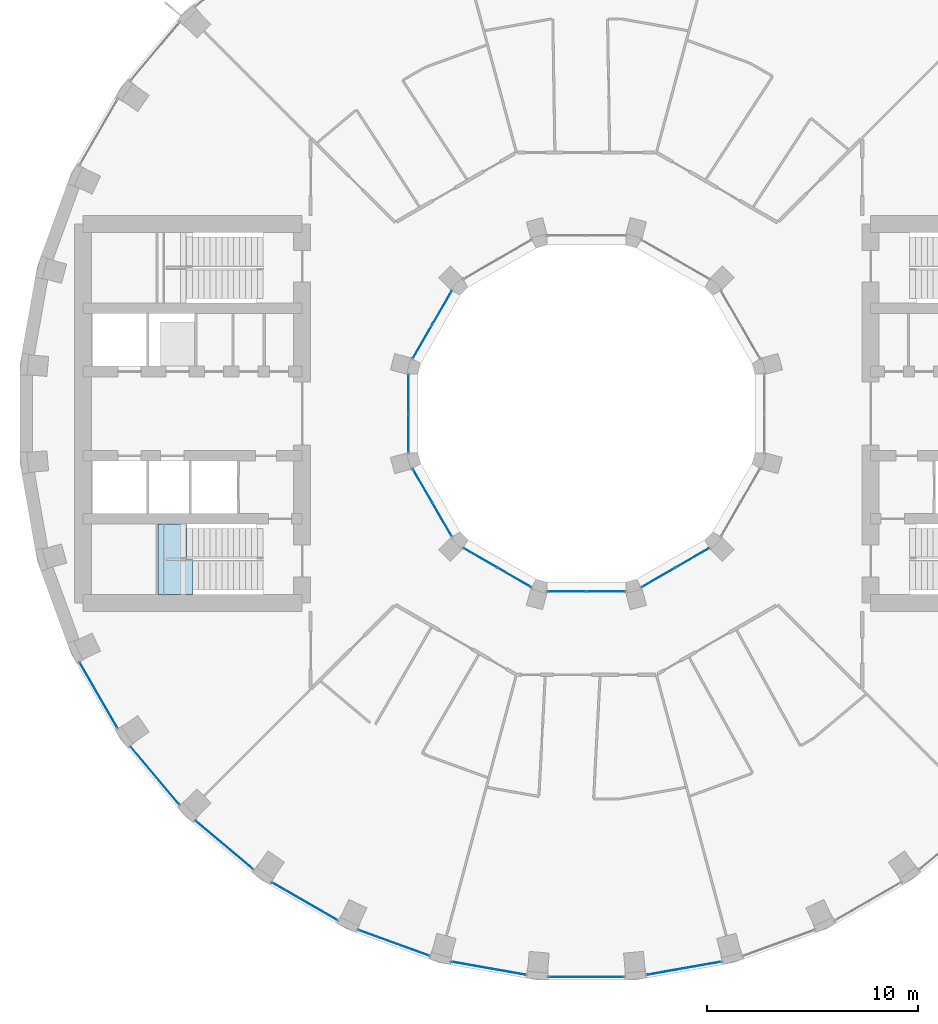
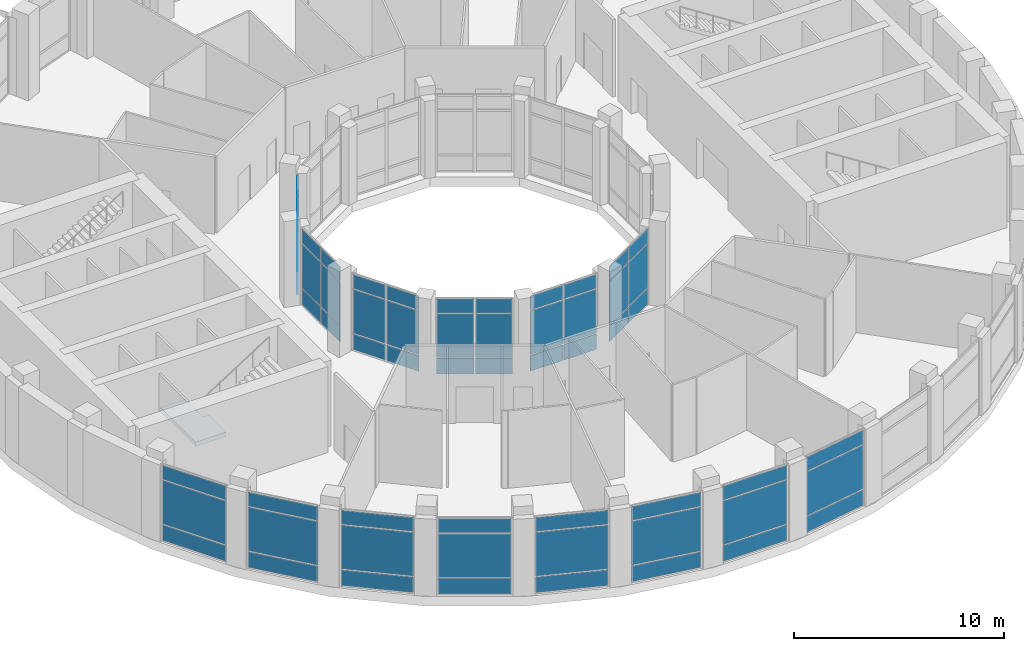
# One storey, part 9 of 18: 60 plates, 1 slab, 15 elements without a shape of their own.
"""IFC4 building model written with IfcOpenShell, lengths in metres."""

from ifc_helpers import new_model, si_unit, direction, frame, origin, origin_2d, place, context, subcontext, project, spatial, polyline, rectangle, outline, extrude, material, layer, layer_set, type_object, element, aggregate, save


model = new_model("IFC4")

# Units and contexts
model_context = context("Model", 3, precision=1e-05, world=origin(), true_north=direction((0.0, 1.0)))
body_context = subcontext(model_context, "Body", "Model", "MODEL_VIEW")
ifc_project = project(units=[si_unit("LENGTHUNIT", "METRE"), si_unit("AREAUNIT", "SQUARE_METRE"), si_unit("VOLUMEUNIT", "CUBIC_METRE"), si_unit("PLANEANGLEUNIT", "RADIAN"), si_unit("MASSUNIT", "GRAM", prefix="KILO")], contexts=[model_context])

# Site, building, storey
site_placement = place(None, origin())
site = spatial("IfcSite", under=ifc_project, at=site_placement, CompositionType="ELEMENT")
building_placement = place(site_placement, origin())
building = spatial("IfcBuilding", under=site, at=building_placement, Name="Saqina Gate Tower", CompositionType="ELEMENT")
storey_placement = place(building_placement, frame((0.0, 0.0, 86.89990234375)))
storey = spatial("IfcBuildingStorey", under=building, at=storey_placement, Name="L24", CompositionType="ELEMENT", Elevation=86.89990234375)

# Curtain wall, plates
ifc_material_1 = material(Name="Aluminium glazing", Category="aluminium")
ifc_layer_1 = layer(ifc_material_1, 0.159912109375)
ifc_layer_set_1 = layer_set([ifc_layer_1], Name="CWT-2")
curtain_wall_type_1 = type_object("IfcCurtainWallType", Name="CWT-2", PredefinedType="NOTDEFINED", material=ifc_layer_set_1)
curtain_wall_1_placement = place(storey_placement, origin())
curtain_wall_1 = element("IfcCurtainWall", 1, at=curtain_wall_1_placement, inside=storey, type_object=curtain_wall_type_1, Name="Sky lounge glazing facet 21", PredefinedType="NOTDEFINED")
ifc_material_2 = material(Name="Glass", Category="glass")
ifc_layer_2 = layer(ifc_material_2, 0.028076171875)
ifc_layer_set_2 = layer_set([ifc_layer_2], Name="CWT-2P")
plate_type_1 = type_object("IfcPlateType", Name="CWT-2P", PredefinedType="CURTAIN_PANEL", material=ifc_layer_set_2)
plate_1_placement = place(storey_placement, frame((-23.163818359375, -13.37353515625, 0.06005859375), z_axis=(0.0, 0.0, 1.0), x_axis=(0.499998512381, -0.86602626266, 0.0)))
plate_1 = element("IfcPlate", 2, at=plate_1_placement, type_object=plate_type_1, Name="CW2-21 panel 1.1", PredefinedType="CURTAIN_PANEL", context=body_context, shape_type="SweptSolid", body=[
    extrude(rectangle(XDim=3.52783203125, YDim=0.028076171875, at=origin_2d()), origin(), (0.0, 0.0, 1.0), 0.909912109375),
])
plate_2_placement = place(storey_placement, frame((-23.163818359375, -13.37353515625, 1.030029296875), z_axis=(0.0, 0.0, 1.0), x_axis=(0.499998512381, -0.86602626266, 0.0)))
plate_2 = element("IfcPlate", 3, at=plate_2_placement, type_object=plate_type_1, Name="CW2-21 panel 1.2", PredefinedType="CURTAIN_PANEL", context=body_context, shape_type="SweptSolid", body=[
    extrude(rectangle(XDim=3.52783203125, YDim=0.028076171875, at=origin_2d()), origin(), (0.0, 0.0, 1.0), 2.5400390625),
])
plate_3_placement = place(storey_placement, frame((-23.163818359375, -13.37353515625, 3.630126953125), z_axis=(0.0, 0.0, 1.0), x_axis=(0.499998512381, -0.86602626266, 0.0)))
plate_3 = element("IfcPlate", 4, at=plate_3_placement, type_object=plate_type_1, Name="CW2-21 panel 1.3", PredefinedType="CURTAIN_PANEL", context=body_context, shape_type="SweptSolid", body=[
    extrude(rectangle(XDim=3.52783203125, YDim=0.028076171875, at=origin_2d()), origin(), (0.0, 0.0, 1.0), 0.81005859375),
])
aggregate(curtain_wall_1, [plate_1, plate_2, plate_3])

curtain_wall_2_placement = place(storey_placement, origin())
curtain_wall_2 = element("IfcCurtainWall", 5, at=curtain_wall_2_placement, inside=storey, type_object=curtain_wall_type_1, Name="Sky lounge glazing facet 22", PredefinedType="NOTDEFINED")
plate_4_placement = place(storey_placement, frame((-20.489501953125, -17.19287109375, 0.06005859375), z_axis=(0.0, 0.0, 1.0), x_axis=(0.642790825553, -0.766041744675, 0.0)))
plate_4 = element("IfcPlate", 6, at=plate_4_placement, type_object=plate_type_1, Name="CW2-22 panel 1.1", PredefinedType="CURTAIN_PANEL", context=body_context, shape_type="SweptSolid", body=[
    extrude(rectangle(XDim=3.52783203125, YDim=0.028076171875, at=origin_2d()), origin(), (0.0, 0.0, 1.0), 0.909912109375),
])
plate_5_placement = place(storey_placement, frame((-20.489501953125, -17.19287109375, 1.030029296875), z_axis=(0.0, 0.0, 1.0), x_axis=(0.642790825553, -0.766041744675, 0.0)))
plate_5 = element("IfcPlate", 7, at=plate_5_placement, type_object=plate_type_1, Name="CW2-22 panel 1.2", PredefinedType="CURTAIN_PANEL", context=body_context, shape_type="SweptSolid", body=[
    extrude(rectangle(XDim=3.52783203125, YDim=0.028076171875, at=origin_2d()), origin(), (0.0, 0.0, 1.0), 2.5400390625),
])
plate_6_placement = place(storey_placement, frame((-20.489501953125, -17.19287109375, 3.630126953125), z_axis=(0.0, 0.0, 1.0), x_axis=(0.642790825553, -0.766041744675, 0.0)))
plate_6 = element("IfcPlate", 8, at=plate_6_placement, type_object=plate_type_1, Name="CW2-22 panel 1.3", PredefinedType="CURTAIN_PANEL", context=body_context, shape_type="SweptSolid", body=[
    extrude(rectangle(XDim=3.52783203125, YDim=0.028076171875, at=origin_2d()), origin(), (0.0, 0.0, 1.0), 0.81005859375),
])
aggregate(curtain_wall_2, [plate_4, plate_5, plate_6])

curtain_wall_3_placement = place(storey_placement, origin())
curtain_wall_3 = element("IfcCurtainWall", 9, at=curtain_wall_3_placement, inside=storey, type_object=curtain_wall_type_1, Name="Sky lounge glazing facet 23", PredefinedType="NOTDEFINED")
plate_7_placement = place(storey_placement, frame((-17.19287109375, -20.489501953125, 0.06005859375), z_axis=(0.0, 0.0, 1.0), x_axis=(0.766041744675, -0.642790825553, 0.0)))
plate_7 = element("IfcPlate", 10, at=plate_7_placement, type_object=plate_type_1, Name="CW2-23 panel 1.1", PredefinedType="CURTAIN_PANEL", context=body_context, shape_type="SweptSolid", body=[
    extrude(rectangle(XDim=3.52783203125, YDim=0.028076171875, at=origin_2d()), origin(), (0.0, 0.0, 1.0), 0.909912109375),
])
plate_8_placement = place(storey_placement, frame((-17.19287109375, -20.489501953125, 1.030029296875), z_axis=(0.0, 0.0, 1.0), x_axis=(0.766041744675, -0.642790825553, 0.0)))
plate_8 = element("IfcPlate", 11, at=plate_8_placement, type_object=plate_type_1, Name="CW2-23 panel 1.2", PredefinedType="CURTAIN_PANEL", context=body_context, shape_type="SweptSolid", body=[
    extrude(rectangle(XDim=3.52783203125, YDim=0.028076171875, at=origin_2d()), origin(), (0.0, 0.0, 1.0), 2.5400390625),
])
plate_9_placement = place(storey_placement, frame((-17.19287109375, -20.489501953125, 3.630126953125), z_axis=(0.0, 0.0, 1.0), x_axis=(0.766041744675, -0.642790825553, 0.0)))
plate_9 = element("IfcPlate", 12, at=plate_9_placement, type_object=plate_type_1, Name="CW2-23 panel 1.3", PredefinedType="CURTAIN_PANEL", context=body_context, shape_type="SweptSolid", body=[
    extrude(rectangle(XDim=3.52783203125, YDim=0.028076171875, at=origin_2d()), origin(), (0.0, 0.0, 1.0), 0.81005859375),
])
aggregate(curtain_wall_3, [plate_7, plate_8, plate_9])

curtain_wall_4_placement = place(storey_placement, origin())
curtain_wall_4 = element("IfcCurtainWall", 13, at=curtain_wall_4_placement, inside=storey, type_object=curtain_wall_type_1, Name="Sky lounge glazing facet 24", PredefinedType="NOTDEFINED")
plate_10_placement = place(storey_placement, frame((-13.37353515625, -23.163818359375, 0.06005859375), z_axis=(0.0, 0.0, 1.0), x_axis=(0.86602626266, -0.499998512381, 0.0)))
plate_10 = element("IfcPlate", 14, at=plate_10_placement, type_object=plate_type_1, Name="CW2-24 panel 1.1", PredefinedType="CURTAIN_PANEL", context=body_context, shape_type="SweptSolid", body=[
    extrude(rectangle(XDim=3.52783203125, YDim=0.028076171875, at=origin_2d()), origin(), (0.0, 0.0, 1.0), 0.909912109375),
])
plate_11_placement = place(storey_placement, frame((-13.37353515625, -23.163818359375, 1.030029296875), z_axis=(0.0, 0.0, 1.0), x_axis=(0.86602626266, -0.499998512381, 0.0)))
plate_11 = element("IfcPlate", 15, at=plate_11_placement, type_object=plate_type_1, Name="CW2-24 panel 1.2", PredefinedType="CURTAIN_PANEL", context=body_context, shape_type="SweptSolid", body=[
    extrude(rectangle(XDim=3.52783203125, YDim=0.028076171875, at=origin_2d()), origin(), (0.0, 0.0, 1.0), 2.5400390625),
])
plate_12_placement = place(storey_placement, frame((-13.37353515625, -23.163818359375, 3.630126953125), z_axis=(0.0, 0.0, 1.0), x_axis=(0.86602626266, -0.499998512381, 0.0)))
plate_12 = element("IfcPlate", 16, at=plate_12_placement, type_object=plate_type_1, Name="CW2-24 panel 1.3", PredefinedType="CURTAIN_PANEL", context=body_context, shape_type="SweptSolid", body=[
    extrude(rectangle(XDim=3.52783203125, YDim=0.028076171875, at=origin_2d()), origin(), (0.0, 0.0, 1.0), 0.81005859375),
])
aggregate(curtain_wall_4, [plate_10, plate_11, plate_12])

curtain_wall_5_placement = place(storey_placement, origin())
curtain_wall_5 = element("IfcCurtainWall", 17, at=curtain_wall_5_placement, inside=storey, type_object=curtain_wall_type_1, Name="Sky lounge glazing facet 25", PredefinedType="NOTDEFINED")
plate_13_placement = place(storey_placement, frame((-9.148193359375, -25.13427734375, 0.06005859375), z_axis=(0.0, 0.0, 1.0), x_axis=(0.939694133483, -0.342015987197, 0.0)))
plate_13 = element("IfcPlate", 18, at=plate_13_placement, type_object=plate_type_1, Name="CW2-25 panel 1.1", PredefinedType="CURTAIN_PANEL", context=body_context, shape_type="SweptSolid", body=[
    extrude(rectangle(XDim=3.52783203125, YDim=0.028076171875, at=origin_2d()), origin(), (0.0, 0.0, 1.0), 0.909912109375),
])
plate_14_placement = place(storey_placement, frame((-9.148193359375, -25.13427734375, 1.030029296875), z_axis=(0.0, 0.0, 1.0), x_axis=(0.939694133483, -0.342015987197, 0.0)))
plate_14 = element("IfcPlate", 19, at=plate_14_placement, type_object=plate_type_1, Name="CW2-25 panel 1.2", PredefinedType="CURTAIN_PANEL", context=body_context, shape_type="SweptSolid", body=[
    extrude(rectangle(XDim=3.52783203125, YDim=0.028076171875, at=origin_2d()), origin(), (0.0, 0.0, 1.0), 2.5400390625),
])
plate_15_placement = place(storey_placement, frame((-9.148193359375, -25.13427734375, 3.630126953125), z_axis=(0.0, 0.0, 1.0), x_axis=(0.939694133483, -0.342015987197, 0.0)))
plate_15 = element("IfcPlate", 20, at=plate_15_placement, type_object=plate_type_1, Name="CW2-25 panel 1.3", PredefinedType="CURTAIN_PANEL", context=body_context, shape_type="SweptSolid", body=[
    extrude(rectangle(XDim=3.52783203125, YDim=0.028076171875, at=origin_2d()), origin(), (0.0, 0.0, 1.0), 0.81005859375),
])
aggregate(curtain_wall_5, [plate_13, plate_14, plate_15])

curtain_wall_6_placement = place(storey_placement, origin())
curtain_wall_6 = element("IfcCurtainWall", 21, at=curtain_wall_6_placement, inside=storey, type_object=curtain_wall_type_1, Name="Sky lounge glazing facet 26", PredefinedType="NOTDEFINED")
plate_16_placement = place(storey_placement, frame((-4.64453125, -26.3408203125, 0.06005859375), z_axis=(0.0, 0.0, 1.0), x_axis=(0.984809489664, -0.17363832834, 0.0)))
plate_16 = element("IfcPlate", 22, at=plate_16_placement, type_object=plate_type_1, Name="CW2-26 panel 1.1", PredefinedType="CURTAIN_PANEL", context=body_context, shape_type="SweptSolid", body=[
    extrude(rectangle(XDim=3.52783203125, YDim=0.028076171875, at=origin_2d()), origin(), (0.0, 0.0, 1.0), 0.909912109375),
])
plate_17_placement = place(storey_placement, frame((-4.64453125, -26.3408203125, 1.030029296875), z_axis=(0.0, 0.0, 1.0), x_axis=(0.984809489664, -0.17363832834, 0.0)))
plate_17 = element("IfcPlate", 23, at=plate_17_placement, type_object=plate_type_1, Name="CW2-26 panel 1.2", PredefinedType="CURTAIN_PANEL", context=body_context, shape_type="SweptSolid", body=[
    extrude(rectangle(XDim=3.52783203125, YDim=0.028076171875, at=origin_2d()), origin(), (0.0, 0.0, 1.0), 2.5400390625),
])
plate_18_placement = place(storey_placement, frame((-4.64453125, -26.3408203125, 3.630126953125), z_axis=(0.0, 0.0, 1.0), x_axis=(0.984809489664, -0.17363832834, 0.0)))
plate_18 = element("IfcPlate", 24, at=plate_18_placement, type_object=plate_type_1, Name="CW2-26 panel 1.3", PredefinedType="CURTAIN_PANEL", context=body_context, shape_type="SweptSolid", body=[
    extrude(rectangle(XDim=3.52783203125, YDim=0.028076171875, at=origin_2d()), origin(), (0.0, 0.0, 1.0), 0.81005859375),
])
aggregate(curtain_wall_6, [plate_16, plate_17, plate_18])

curtain_wall_7_placement = place(storey_placement, origin())
curtain_wall_7 = element("IfcCurtainWall", 25, at=curtain_wall_7_placement, inside=storey, type_object=curtain_wall_type_1, Name="Sky lounge glazing facet 27", PredefinedType="NOTDEFINED")
plate_19_placement = place(storey_placement, frame((0.0, -26.747314453125, 0.06005859375), z_axis=(0.0, 0.0, 1.0), x_axis=(1.0, 0.0, 0.0)))
plate_19 = element("IfcPlate", 26, at=plate_19_placement, type_object=plate_type_1, Name="CW2-27 panel 1.1", PredefinedType="CURTAIN_PANEL", context=body_context, shape_type="SweptSolid", body=[
    extrude(rectangle(XDim=3.52783203125, YDim=0.028076171875, at=origin_2d()), origin(), (0.0, 0.0, 1.0), 0.909912109375),
])
plate_20_placement = place(storey_placement, frame((0.0, -26.747314453125, 1.030029296875), z_axis=(0.0, 0.0, 1.0), x_axis=(1.0, 0.0, 0.0)))
plate_20 = element("IfcPlate", 27, at=plate_20_placement, type_object=plate_type_1, Name="CW2-27 panel 1.2", PredefinedType="CURTAIN_PANEL", context=body_context, shape_type="SweptSolid", body=[
    extrude(rectangle(XDim=3.52783203125, YDim=0.028076171875, at=origin_2d()), origin(), (0.0, 0.0, 1.0), 2.5400390625),
])
plate_21_placement = place(storey_placement, frame((0.0, -26.747314453125, 3.630126953125), z_axis=(0.0, 0.0, 1.0), x_axis=(1.0, 0.0, 0.0)))
plate_21 = element("IfcPlate", 28, at=plate_21_placement, type_object=plate_type_1, Name="CW2-27 panel 1.3", PredefinedType="CURTAIN_PANEL", context=body_context, shape_type="SweptSolid", body=[
    extrude(rectangle(XDim=3.52783203125, YDim=0.028076171875, at=origin_2d()), origin(), (0.0, 0.0, 1.0), 0.81005859375),
])
aggregate(curtain_wall_7, [plate_19, plate_20, plate_21])

curtain_wall_8_placement = place(storey_placement, origin())
curtain_wall_8 = element("IfcCurtainWall", 29, at=curtain_wall_8_placement, inside=storey, type_object=curtain_wall_type_1, Name="Sky lounge glazing facet 28", PredefinedType="NOTDEFINED")
plate_22_placement = place(storey_placement, frame((4.64453125, -26.3408203125, 0.06005859375), z_axis=(0.0, 0.0, 1.0), x_axis=(0.984809489664, 0.17363832834, 0.0)))
plate_22 = element("IfcPlate", 30, at=plate_22_placement, type_object=plate_type_1, Name="CW2-28 panel 1.1", PredefinedType="CURTAIN_PANEL", context=body_context, shape_type="SweptSolid", body=[
    extrude(rectangle(XDim=3.52783203125, YDim=0.028076171875, at=origin_2d()), origin(), (0.0, 0.0, 1.0), 0.909912109375),
])
plate_23_placement = place(storey_placement, frame((4.64453125, -26.3408203125, 1.030029296875), z_axis=(0.0, 0.0, 1.0), x_axis=(0.984809489664, 0.17363832834, 0.0)))
plate_23 = element("IfcPlate", 31, at=plate_23_placement, type_object=plate_type_1, Name="CW2-28 panel 1.2", PredefinedType="CURTAIN_PANEL", context=body_context, shape_type="SweptSolid", body=[
    extrude(rectangle(XDim=3.52783203125, YDim=0.028076171875, at=origin_2d()), origin(), (0.0, 0.0, 1.0), 2.5400390625),
])
plate_24_placement = place(storey_placement, frame((4.64453125, -26.3408203125, 3.630126953125), z_axis=(0.0, 0.0, 1.0), x_axis=(0.984809489664, 0.17363832834, 0.0)))
plate_24 = element("IfcPlate", 32, at=plate_24_placement, type_object=plate_type_1, Name="CW2-28 panel 1.3", PredefinedType="CURTAIN_PANEL", context=body_context, shape_type="SweptSolid", body=[
    extrude(rectangle(XDim=3.52783203125, YDim=0.028076171875, at=origin_2d()), origin(), (0.0, 0.0, 1.0), 0.81005859375),
])
aggregate(curtain_wall_8, [plate_22, plate_23, plate_24])

ifc_material_3 = material(Name="Aluminium glazing", Category="aluminium")
ifc_layer_3 = layer(ifc_material_3, 0.159912109375)
ifc_layer_set_3 = layer_set([ifc_layer_3], Name="CWT-3")
curtain_wall_type_2 = type_object("IfcCurtainWallType", Name="CWT-3", PredefinedType="NOTDEFINED", material=ifc_layer_set_3)
curtain_wall_9_placement = place(storey_placement, origin())
curtain_wall_9 = element("IfcCurtainWall", 33, at=curtain_wall_9_placement, inside=storey, type_object=curtain_wall_type_2, Name="Sky lounge well glazing L24 facet 5", PredefinedType="NOTDEFINED")
ifc_material_4 = material(Name="Glass", Category="glass")
ifc_layer_4 = layer(ifc_material_4, 0.028076171875)
ifc_layer_set_4 = layer_set([ifc_layer_4], Name="CWT-3P")
plate_type_2 = type_object("IfcPlateType", Name="CWT-3P", PredefinedType="CURTAIN_PANEL", material=ifc_layer_set_4)
plate_25_placement = place(storey_placement, frame((-6.85693359375, 5.0234375, 0.06005859375), z_axis=(0.0, 0.0, 1.0), x_axis=(-0.499993482823, -0.866029166445, 0.0)))
plate_25 = element("IfcPlate", 34, at=plate_25_placement, type_object=plate_type_2, Name="CW3-05 panel 1.1", PredefinedType="CURTAIN_PANEL", context=body_context, shape_type="SweptSolid", body=[
    extrude(rectangle(XDim=1.78369140625, YDim=0.028076171875, at=origin_2d()), origin(), (0.0, 0.0, 1.0), 0.909912109375),
])
plate_26_placement = place(storey_placement, frame((-6.85693359375, 5.0234375, 1.030029296875), z_axis=(0.0, 0.0, 1.0), x_axis=(-0.499993482823, -0.866029166445, 0.0)))
plate_26 = element("IfcPlate", 35, at=plate_26_placement, type_object=plate_type_2, Name="CW3-05 panel 1.2", PredefinedType="CURTAIN_PANEL", context=body_context, shape_type="SweptSolid", body=[
    extrude(rectangle(XDim=1.78369140625, YDim=0.028076171875, at=origin_2d()), origin(), (0.0, 0.0, 1.0), 2.5400390625),
])
plate_27_placement = place(storey_placement, frame((-6.85693359375, 5.0234375, 3.630126953125), z_axis=(0.0, 0.0, 1.0), x_axis=(-0.499993482823, -0.866029166445, 0.0)))
plate_27 = element("IfcPlate", 36, at=plate_27_placement, type_object=plate_type_2, Name="CW3-05 panel 1.3", PredefinedType="CURTAIN_PANEL", context=body_context, shape_type="SweptSolid", body=[
    extrude(rectangle(XDim=1.78369140625, YDim=0.028076171875, at=origin_2d()), origin(), (0.0, 0.0, 1.0), 0.81005859375),
])
plate_28_placement = place(storey_placement, frame((-7.77880859375, 3.4267578125, 0.06005859375), z_axis=(0.0, 0.0, 1.0), x_axis=(-0.499993482823, -0.866029166445, 0.0)))
plate_28 = element("IfcPlate", 37, at=plate_28_placement, type_object=plate_type_2, Name="CW3-05 panel 2.1", PredefinedType="CURTAIN_PANEL", context=body_context, shape_type="SweptSolid", body=[
    extrude(rectangle(XDim=1.78369140625, YDim=0.028076171875, at=origin_2d()), origin(), (0.0, 0.0, 1.0), 0.909912109375),
])
plate_29_placement = place(storey_placement, frame((-7.77880859375, 3.4267578125, 1.030029296875), z_axis=(0.0, 0.0, 1.0), x_axis=(-0.499993482823, -0.866029166445, 0.0)))
plate_29 = element("IfcPlate", 38, at=plate_29_placement, type_object=plate_type_2, Name="CW3-05 panel 2.2", PredefinedType="CURTAIN_PANEL", context=body_context, shape_type="SweptSolid", body=[
    extrude(rectangle(XDim=1.78369140625, YDim=0.028076171875, at=origin_2d()), origin(), (0.0, 0.0, 1.0), 2.5400390625),
])
plate_30_placement = place(storey_placement, frame((-7.77880859375, 3.4267578125, 3.630126953125), z_axis=(0.0, 0.0, 1.0), x_axis=(-0.499993482823, -0.866029166445, 0.0)))
plate_30 = element("IfcPlate", 39, at=plate_30_placement, type_object=plate_type_2, Name="CW3-05 panel 2.3", PredefinedType="CURTAIN_PANEL", context=body_context, shape_type="SweptSolid", body=[
    extrude(rectangle(XDim=1.78369140625, YDim=0.028076171875, at=origin_2d()), origin(), (0.0, 0.0, 1.0), 0.81005859375),
])
aggregate(curtain_wall_9, [plate_25, plate_26, plate_27, plate_28, plate_29, plate_30])

curtain_wall_10_placement = place(storey_placement, origin())
curtain_wall_10 = element("IfcCurtainWall", 40, at=curtain_wall_10_placement, inside=storey, type_object=curtain_wall_type_2, Name="Sky lounge well glazing L24 facet 6", PredefinedType="NOTDEFINED")
plate_31_placement = place(storey_placement, frame((-8.449951171875, 0.921875, 0.06005859375), z_axis=(0.0, 0.0, 1.0), x_axis=(0.0, -1.0, 0.0)))
plate_31 = element("IfcPlate", 41, at=plate_31_placement, type_object=plate_type_2, Name="CW3-06 panel 1.1", PredefinedType="CURTAIN_PANEL", context=body_context, shape_type="SweptSolid", body=[
    extrude(rectangle(XDim=1.78369140625, YDim=0.028076171875, at=origin_2d()), origin(), (0.0, 0.0, 1.0), 0.909912109375),
])
plate_32_placement = place(storey_placement, frame((-8.449951171875, 0.921875, 1.030029296875), z_axis=(0.0, 0.0, 1.0), x_axis=(0.0, -1.0, 0.0)))
plate_32 = element("IfcPlate", 42, at=plate_32_placement, type_object=plate_type_2, Name="CW3-06 panel 1.2", PredefinedType="CURTAIN_PANEL", context=body_context, shape_type="SweptSolid", body=[
    extrude(rectangle(XDim=1.78369140625, YDim=0.028076171875, at=origin_2d()), origin(), (0.0, 0.0, 1.0), 2.5400390625),
])
plate_33_placement = place(storey_placement, frame((-8.449951171875, 0.921875, 3.630126953125), z_axis=(0.0, 0.0, 1.0), x_axis=(0.0, -1.0, 0.0)))
plate_33 = element("IfcPlate", 43, at=plate_33_placement, type_object=plate_type_2, Name="CW3-06 panel 1.3", PredefinedType="CURTAIN_PANEL", context=body_context, shape_type="SweptSolid", body=[
    extrude(rectangle(XDim=1.78369140625, YDim=0.028076171875, at=origin_2d()), origin(), (0.0, 0.0, 1.0), 0.81005859375),
])
plate_34_placement = place(storey_placement, frame((-8.449951171875, -0.921875, 0.06005859375), z_axis=(0.0, 0.0, 1.0), x_axis=(0.0, -1.0, 0.0)))
plate_34 = element("IfcPlate", 44, at=plate_34_placement, type_object=plate_type_2, Name="CW3-06 panel 2.1", PredefinedType="CURTAIN_PANEL", context=body_context, shape_type="SweptSolid", body=[
    extrude(rectangle(XDim=1.78369140625, YDim=0.028076171875, at=origin_2d()), origin(), (0.0, 0.0, 1.0), 0.909912109375),
])
plate_35_placement = place(storey_placement, frame((-8.449951171875, -0.921875, 1.030029296875), z_axis=(0.0, 0.0, 1.0), x_axis=(0.0, -1.0, 0.0)))
plate_35 = element("IfcPlate", 45, at=plate_35_placement, type_object=plate_type_2, Name="CW3-06 panel 2.2", PredefinedType="CURTAIN_PANEL", context=body_context, shape_type="SweptSolid", body=[
    extrude(rectangle(XDim=1.78369140625, YDim=0.028076171875, at=origin_2d()), origin(), (0.0, 0.0, 1.0), 2.5400390625),
])
plate_36_placement = place(storey_placement, frame((-8.449951171875, -0.921875, 3.630126953125), z_axis=(0.0, 0.0, 1.0), x_axis=(0.0, -1.0, 0.0)))
plate_36 = element("IfcPlate", 46, at=plate_36_placement, type_object=plate_type_2, Name="CW3-06 panel 2.3", PredefinedType="CURTAIN_PANEL", context=body_context, shape_type="SweptSolid", body=[
    extrude(rectangle(XDim=1.78369140625, YDim=0.028076171875, at=origin_2d()), origin(), (0.0, 0.0, 1.0), 0.81005859375),
])
aggregate(curtain_wall_10, [plate_31, plate_32, plate_33, plate_34, plate_35, plate_36])

curtain_wall_11_placement = place(storey_placement, origin())
curtain_wall_11 = element("IfcCurtainWall", 47, at=curtain_wall_11_placement, inside=storey, type_object=curtain_wall_type_2, Name="Sky lounge well glazing L24 facet 7", PredefinedType="NOTDEFINED")
plate_37_placement = place(storey_placement, frame((-7.77880859375, -3.4267578125, 0.06005859375), z_axis=(0.0, 0.0, 1.0), x_axis=(0.499993482823, -0.866029166445, 0.0)))
plate_37 = element("IfcPlate", 48, at=plate_37_placement, type_object=plate_type_2, Name="CW3-07 panel 1.1", PredefinedType="CURTAIN_PANEL", context=body_context, shape_type="SweptSolid", body=[
    extrude(rectangle(XDim=1.78369140625, YDim=0.028076171875, at=origin_2d()), origin(), (0.0, 0.0, 1.0), 0.909912109375),
])
plate_38_placement = place(storey_placement, frame((-7.77880859375, -3.4267578125, 1.030029296875), z_axis=(0.0, 0.0, 1.0), x_axis=(0.499993482823, -0.866029166445, 0.0)))
plate_38 = element("IfcPlate", 49, at=plate_38_placement, type_object=plate_type_2, Name="CW3-07 panel 1.2", PredefinedType="CURTAIN_PANEL", context=body_context, shape_type="SweptSolid", body=[
    extrude(rectangle(XDim=1.78369140625, YDim=0.028076171875, at=origin_2d()), origin(), (0.0, 0.0, 1.0), 2.5400390625),
])
plate_39_placement = place(storey_placement, frame((-7.77880859375, -3.4267578125, 3.630126953125), z_axis=(0.0, 0.0, 1.0), x_axis=(0.499993482823, -0.866029166445, 0.0)))
plate_39 = element("IfcPlate", 50, at=plate_39_placement, type_object=plate_type_2, Name="CW3-07 panel 1.3", PredefinedType="CURTAIN_PANEL", context=body_context, shape_type="SweptSolid", body=[
    extrude(rectangle(XDim=1.78369140625, YDim=0.028076171875, at=origin_2d()), origin(), (0.0, 0.0, 1.0), 0.81005859375),
])
plate_40_placement = place(storey_placement, frame((-6.85693359375, -5.0234375, 0.06005859375), z_axis=(0.0, 0.0, 1.0), x_axis=(0.499993482823, -0.866029166445, 0.0)))
plate_40 = element("IfcPlate", 51, at=plate_40_placement, type_object=plate_type_2, Name="CW3-07 panel 2.1", PredefinedType="CURTAIN_PANEL", context=body_context, shape_type="SweptSolid", body=[
    extrude(rectangle(XDim=1.78369140625, YDim=0.028076171875, at=origin_2d()), origin(), (0.0, 0.0, 1.0), 0.909912109375),
])
plate_41_placement = place(storey_placement, frame((-6.85693359375, -5.0234375, 1.030029296875), z_axis=(0.0, 0.0, 1.0), x_axis=(0.499993482823, -0.866029166445, 0.0)))
plate_41 = element("IfcPlate", 52, at=plate_41_placement, type_object=plate_type_2, Name="CW3-07 panel 2.2", PredefinedType="CURTAIN_PANEL", context=body_context, shape_type="SweptSolid", body=[
    extrude(rectangle(XDim=1.78369140625, YDim=0.028076171875, at=origin_2d()), origin(), (0.0, 0.0, 1.0), 2.5400390625),
])
plate_42_placement = place(storey_placement, frame((-6.85693359375, -5.0234375, 3.630126953125), z_axis=(0.0, 0.0, 1.0), x_axis=(0.499993482823, -0.866029166445, 0.0)))
plate_42 = element("IfcPlate", 53, at=plate_42_placement, type_object=plate_type_2, Name="CW3-07 panel 2.3", PredefinedType="CURTAIN_PANEL", context=body_context, shape_type="SweptSolid", body=[
    extrude(rectangle(XDim=1.78369140625, YDim=0.028076171875, at=origin_2d()), origin(), (0.0, 0.0, 1.0), 0.81005859375),
])
aggregate(curtain_wall_11, [plate_37, plate_38, plate_39, plate_40, plate_41, plate_42])

curtain_wall_12_placement = place(storey_placement, origin())
curtain_wall_12 = element("IfcCurtainWall", 54, at=curtain_wall_12_placement, inside=storey, type_object=curtain_wall_type_2, Name="Sky lounge well glazing L24 facet 8", PredefinedType="NOTDEFINED")
plate_43_placement = place(storey_placement, frame((-5.0234375, -6.85693359375, 0.06005859375), z_axis=(0.0, 0.0, 1.0), x_axis=(0.866029166445, -0.499993482823, 0.0)))
plate_43 = element("IfcPlate", 55, at=plate_43_placement, type_object=plate_type_2, Name="CW3-08 panel 1.1", PredefinedType="CURTAIN_PANEL", context=body_context, shape_type="SweptSolid", body=[
    extrude(rectangle(XDim=1.78369140625, YDim=0.028076171875, at=origin_2d()), origin(), (0.0, 0.0, 1.0), 0.909912109375),
])
plate_44_placement = place(storey_placement, frame((-5.0234375, -6.85693359375, 1.030029296875), z_axis=(0.0, 0.0, 1.0), x_axis=(0.866029166445, -0.499993482823, 0.0)))
plate_44 = element("IfcPlate", 56, at=plate_44_placement, type_object=plate_type_2, Name="CW3-08 panel 1.2", PredefinedType="CURTAIN_PANEL", context=body_context, shape_type="SweptSolid", body=[
    extrude(rectangle(XDim=1.78369140625, YDim=0.028076171875, at=origin_2d()), origin(), (0.0, 0.0, 1.0), 2.5400390625),
])
plate_45_placement = place(storey_placement, frame((-5.0234375, -6.85693359375, 3.630126953125), z_axis=(0.0, 0.0, 1.0), x_axis=(0.866029166445, -0.499993482823, 0.0)))
plate_45 = element("IfcPlate", 57, at=plate_45_placement, type_object=plate_type_2, Name="CW3-08 panel 1.3", PredefinedType="CURTAIN_PANEL", context=body_context, shape_type="SweptSolid", body=[
    extrude(rectangle(XDim=1.78369140625, YDim=0.028076171875, at=origin_2d()), origin(), (0.0, 0.0, 1.0), 0.81005859375),
])
plate_46_placement = place(storey_placement, frame((-3.4267578125, -7.77880859375, 0.06005859375), z_axis=(0.0, 0.0, 1.0), x_axis=(0.866029166445, -0.499993482823, 0.0)))
plate_46 = element("IfcPlate", 58, at=plate_46_placement, type_object=plate_type_2, Name="CW3-08 panel 2.1", PredefinedType="CURTAIN_PANEL", context=body_context, shape_type="SweptSolid", body=[
    extrude(rectangle(XDim=1.78369140625, YDim=0.028076171875, at=origin_2d()), origin(), (0.0, 0.0, 1.0), 0.909912109375),
])
plate_47_placement = place(storey_placement, frame((-3.4267578125, -7.77880859375, 1.030029296875), z_axis=(0.0, 0.0, 1.0), x_axis=(0.866029166445, -0.499993482823, 0.0)))
plate_47 = element("IfcPlate", 59, at=plate_47_placement, type_object=plate_type_2, Name="CW3-08 panel 2.2", PredefinedType="CURTAIN_PANEL", context=body_context, shape_type="SweptSolid", body=[
    extrude(rectangle(XDim=1.78369140625, YDim=0.028076171875, at=origin_2d()), origin(), (0.0, 0.0, 1.0), 2.5400390625),
])
plate_48_placement = place(storey_placement, frame((-3.4267578125, -7.77880859375, 3.630126953125), z_axis=(0.0, 0.0, 1.0), x_axis=(0.866029166445, -0.499993482823, 0.0)))
plate_48 = element("IfcPlate", 60, at=plate_48_placement, type_object=plate_type_2, Name="CW3-08 panel 2.3", PredefinedType="CURTAIN_PANEL", context=body_context, shape_type="SweptSolid", body=[
    extrude(rectangle(XDim=1.78369140625, YDim=0.028076171875, at=origin_2d()), origin(), (0.0, 0.0, 1.0), 0.81005859375),
])
aggregate(curtain_wall_12, [plate_43, plate_44, plate_45, plate_46, plate_47, plate_48])

curtain_wall_13_placement = place(storey_placement, origin())
curtain_wall_13 = element("IfcCurtainWall", 61, at=curtain_wall_13_placement, inside=storey, type_object=curtain_wall_type_2, Name="Sky lounge well glazing L24 facet 9", PredefinedType="NOTDEFINED")
plate_49_placement = place(storey_placement, frame((-0.921875, -8.449951171875, 0.06005859375), z_axis=(0.0, 0.0, 1.0), x_axis=(1.0, 0.0, 0.0)))
plate_49 = element("IfcPlate", 62, at=plate_49_placement, type_object=plate_type_2, Name="CW3-09 panel 1.1", PredefinedType="CURTAIN_PANEL", context=body_context, shape_type="SweptSolid", body=[
    extrude(rectangle(XDim=1.78369140625, YDim=0.028076171875, at=origin_2d()), origin(), (0.0, 0.0, 1.0), 0.909912109375),
])
plate_50_placement = place(storey_placement, frame((-0.921875, -8.449951171875, 1.030029296875), z_axis=(0.0, 0.0, 1.0), x_axis=(1.0, 0.0, 0.0)))
plate_50 = element("IfcPlate", 63, at=plate_50_placement, type_object=plate_type_2, Name="CW3-09 panel 1.2", PredefinedType="CURTAIN_PANEL", context=body_context, shape_type="SweptSolid", body=[
    extrude(rectangle(XDim=1.78369140625, YDim=0.028076171875, at=origin_2d()), origin(), (0.0, 0.0, 1.0), 2.5400390625),
])
plate_51_placement = place(storey_placement, frame((-0.921875, -8.449951171875, 3.630126953125), z_axis=(0.0, 0.0, 1.0), x_axis=(1.0, 0.0, 0.0)))
plate_51 = element("IfcPlate", 64, at=plate_51_placement, type_object=plate_type_2, Name="CW3-09 panel 1.3", PredefinedType="CURTAIN_PANEL", context=body_context, shape_type="SweptSolid", body=[
    extrude(rectangle(XDim=1.78369140625, YDim=0.028076171875, at=origin_2d()), origin(), (0.0, 0.0, 1.0), 0.81005859375),
])
plate_52_placement = place(storey_placement, frame((0.921875, -8.449951171875, 0.06005859375), z_axis=(0.0, 0.0, 1.0), x_axis=(1.0, 0.0, 0.0)))
plate_52 = element("IfcPlate", 65, at=plate_52_placement, type_object=plate_type_2, Name="CW3-09 panel 2.1", PredefinedType="CURTAIN_PANEL", context=body_context, shape_type="SweptSolid", body=[
    extrude(rectangle(XDim=1.78369140625, YDim=0.028076171875, at=origin_2d()), origin(), (0.0, 0.0, 1.0), 0.909912109375),
])
plate_53_placement = place(storey_placement, frame((0.921875, -8.449951171875, 1.030029296875), z_axis=(0.0, 0.0, 1.0), x_axis=(1.0, 0.0, 0.0)))
plate_53 = element("IfcPlate", 66, at=plate_53_placement, type_object=plate_type_2, Name="CW3-09 panel 2.2", PredefinedType="CURTAIN_PANEL", context=body_context, shape_type="SweptSolid", body=[
    extrude(rectangle(XDim=1.78369140625, YDim=0.028076171875, at=origin_2d()), origin(), (0.0, 0.0, 1.0), 2.5400390625),
])
plate_54_placement = place(storey_placement, frame((0.921875, -8.449951171875, 3.630126953125), z_axis=(0.0, 0.0, 1.0), x_axis=(1.0, 0.0, 0.0)))
plate_54 = element("IfcPlate", 67, at=plate_54_placement, type_object=plate_type_2, Name="CW3-09 panel 2.3", PredefinedType="CURTAIN_PANEL", context=body_context, shape_type="SweptSolid", body=[
    extrude(rectangle(XDim=1.78369140625, YDim=0.028076171875, at=origin_2d()), origin(), (0.0, 0.0, 1.0), 0.81005859375),
])
aggregate(curtain_wall_13, [plate_49, plate_50, plate_51, plate_52, plate_53, plate_54])

curtain_wall_14_placement = place(storey_placement, origin())
curtain_wall_14 = element("IfcCurtainWall", 68, at=curtain_wall_14_placement, inside=storey, type_object=curtain_wall_type_2, Name="Sky lounge well glazing L24 facet 10", PredefinedType="NOTDEFINED")
plate_55_placement = place(storey_placement, frame((3.4267578125, -7.77880859375, 0.06005859375), z_axis=(0.0, 0.0, 1.0), x_axis=(0.866029166445, 0.499993482823, 0.0)))
plate_55 = element("IfcPlate", 69, at=plate_55_placement, type_object=plate_type_2, Name="CW3-10 panel 1.1", PredefinedType="CURTAIN_PANEL", context=body_context, shape_type="SweptSolid", body=[
    extrude(rectangle(XDim=1.78369140625, YDim=0.028076171875, at=origin_2d()), origin(), (0.0, 0.0, 1.0), 0.909912109375),
])
plate_56_placement = place(storey_placement, frame((3.4267578125, -7.77880859375, 1.030029296875), z_axis=(0.0, 0.0, 1.0), x_axis=(0.866029166445, 0.499993482823, 0.0)))
plate_56 = element("IfcPlate", 70, at=plate_56_placement, type_object=plate_type_2, Name="CW3-10 panel 1.2", PredefinedType="CURTAIN_PANEL", context=body_context, shape_type="SweptSolid", body=[
    extrude(rectangle(XDim=1.78369140625, YDim=0.028076171875, at=origin_2d()), origin(), (0.0, 0.0, 1.0), 2.5400390625),
])
plate_57_placement = place(storey_placement, frame((3.4267578125, -7.77880859375, 3.630126953125), z_axis=(0.0, 0.0, 1.0), x_axis=(0.866029166445, 0.499993482823, 0.0)))
plate_57 = element("IfcPlate", 71, at=plate_57_placement, type_object=plate_type_2, Name="CW3-10 panel 1.3", PredefinedType="CURTAIN_PANEL", context=body_context, shape_type="SweptSolid", body=[
    extrude(rectangle(XDim=1.78369140625, YDim=0.028076171875, at=origin_2d()), origin(), (0.0, 0.0, 1.0), 0.81005859375),
])
plate_58_placement = place(storey_placement, frame((5.0234375, -6.85693359375, 0.06005859375), z_axis=(0.0, 0.0, 1.0), x_axis=(0.866029166445, 0.499993482823, 0.0)))
plate_58 = element("IfcPlate", 72, at=plate_58_placement, type_object=plate_type_2, Name="CW3-10 panel 2.1", PredefinedType="CURTAIN_PANEL", context=body_context, shape_type="SweptSolid", body=[
    extrude(rectangle(XDim=1.78369140625, YDim=0.028076171875, at=origin_2d()), origin(), (0.0, 0.0, 1.0), 0.909912109375),
])
plate_59_placement = place(storey_placement, frame((5.0234375, -6.85693359375, 1.030029296875), z_axis=(0.0, 0.0, 1.0), x_axis=(0.866029166445, 0.499993482823, 0.0)))
plate_59 = element("IfcPlate", 73, at=plate_59_placement, type_object=plate_type_2, Name="CW3-10 panel 2.2", PredefinedType="CURTAIN_PANEL", context=body_context, shape_type="SweptSolid", body=[
    extrude(rectangle(XDim=1.78369140625, YDim=0.028076171875, at=origin_2d()), origin(), (0.0, 0.0, 1.0), 2.5400390625),
])
plate_60_placement = place(storey_placement, frame((5.0234375, -6.85693359375, 3.630126953125), z_axis=(0.0, 0.0, 1.0), x_axis=(0.866029166445, 0.499993482823, 0.0)))
plate_60 = element("IfcPlate", 74, at=plate_60_placement, type_object=plate_type_2, Name="CW3-10 panel 2.3", PredefinedType="CURTAIN_PANEL", context=body_context, shape_type="SweptSolid", body=[
    extrude(rectangle(XDim=1.78369140625, YDim=0.028076171875, at=origin_2d()), origin(), (0.0, 0.0, 1.0), 0.81005859375),
])
aggregate(curtain_wall_14, [plate_55, plate_56, plate_57, plate_58, plate_59, plate_60])

# Stair, slab
ifc_material_5 = material(Name="Concrete C40/50", Category="concrete")
stair_type = type_object("IfcStairType", Name="EXIT STAIR", PredefinedType="HALF_TURN_STAIR", material=ifc_material_5)
stair_placement = place(storey_placement, origin())
stair = element("IfcStair", 75, at=stair_placement, inside=storey, type_object=stair_type, Name="EXIT STAIR 4", PredefinedType="HALF_TURN_STAIR")
ifc_material_6 = material(Name="Concrete C40/50", Category="concrete")
ifc_layer_5 = layer(ifc_material_6, 0.25)
ifc_layer_set_5 = layer_set([ifc_layer_5], Name="Concrete C40/50")
slab_type = type_object("IfcSlabType", Name="EXIT STAIR LANDING", PredefinedType="LANDING", material=ifc_layer_set_5)
slab_placement = place(storey_placement, frame((0.0, 0.0, 2.25)))
slab = element("IfcSlab", 76, at=slab_placement, type_object=slab_type, Name="EXIT STAIR 4 LANDING 1", PredefinedType="LANDING", context=body_context, shape_type="SweptSolid", body=[
    extrude(outline(polyline([(-18.6708984375, -6.925048828125), (-18.6708984375, -8.60009765625), (-18.985107421875, -8.60009765625), (-18.989990234375, -8.60009765625), (-20.340087890625, -8.60009765625), (-20.340087890625, -5.25), (-18.985107421875, -5.25), (-18.985107421875, -6.925048828125), (-18.6708984375, -6.925048828125)])), origin(), (0.0, 0.0, 1.0), 0.25),
])
aggregate(stair, [slab])

save(model, "model.ifc")
